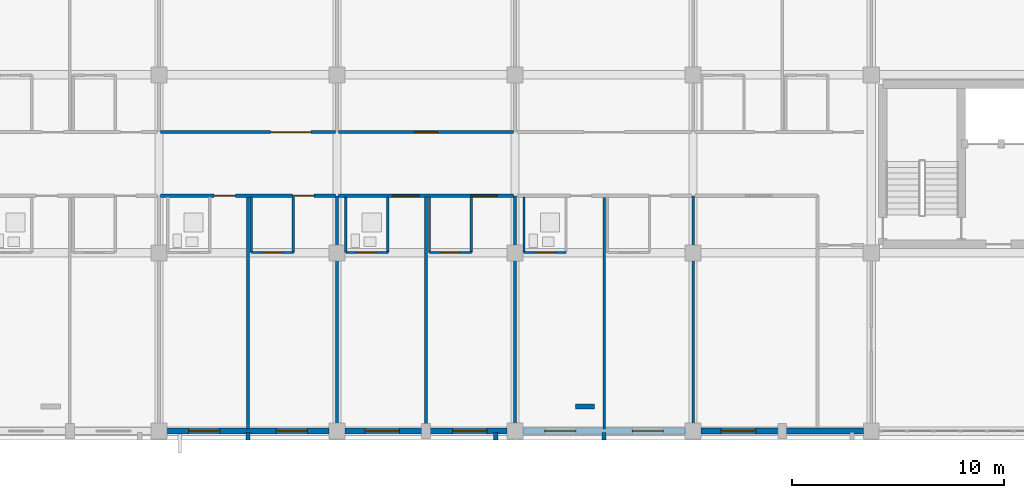
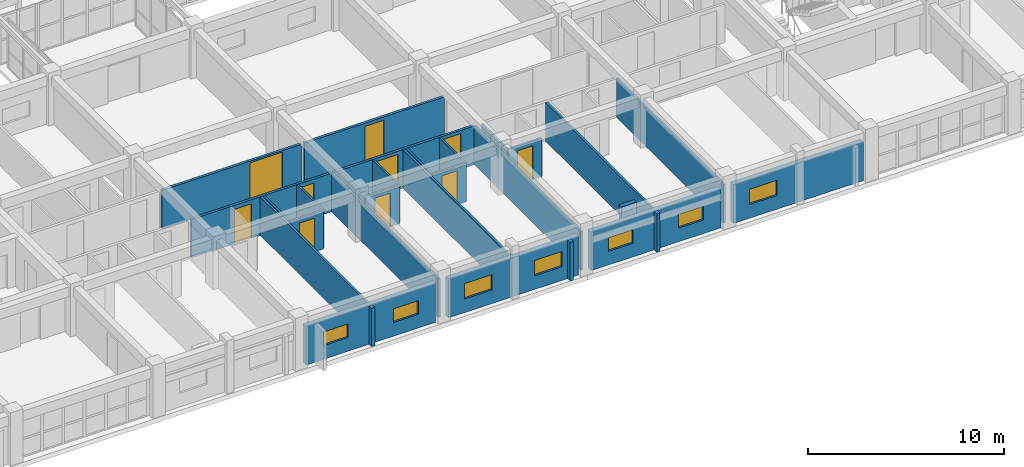
# One storey, part 167 of 200: 29 walls, 10 doors, 7 windows, 17 openings.
"""IFC4 building model written with IfcOpenShell, lengths in metres."""

from ifc_helpers import new_model, si_unit, direction, frame, frame_2d, origin, place, context, subcontext, project, spatial, rectangle, extrude, material, layer, layer_set, type_object, element, fill, save


model = new_model("IFC4")

# Units and contexts
model_context = context("Model", 3, precision=1e-05, world=origin(), true_north=direction((0.0, 1.0)))
body_context = subcontext(model_context, "Body", "Model", "MODEL_VIEW")
ifc_project = project(units=[si_unit("LENGTHUNIT", "METRE"), si_unit("AREAUNIT", "SQUARE_METRE"), si_unit("VOLUMEUNIT", "CUBIC_METRE"), si_unit("PLANEANGLEUNIT", "RADIAN"), si_unit("MASSUNIT", "GRAM", prefix="KILO")], contexts=[model_context])

# Site, building, storey
site_placement = place(None, origin())
site = spatial("IfcSite", under=ifc_project, at=site_placement, CompositionType="ELEMENT")
building_placement = place(site_placement, origin())
building = spatial("IfcBuilding", under=site, at=building_placement, Name="Trelvath General Hospital", CompositionType="ELEMENT")
storey_placement = place(building_placement, frame((0.0, 0.0, 4.800048828125)))
storey = spatial("IfcBuildingStorey", under=building, at=storey_placement, Name="L01", CompositionType="ELEMENT", Elevation=4.800048828125)

# Walls
ifc_material_1 = material(Name="Precast concrete C40/50", Category="concrete")
ifc_layer_1 = layer(ifc_material_1, 0.199951171875)
ifc_layer_set_1 = layer_set([ifc_layer_1], Name="Precast concrete C40/50")
wall_type_1 = type_object("IfcWallType", Name="BriseSoleilRib 200", PredefinedType="ELEMENTEDWALL", material=ifc_layer_set_1)
for number, where, z_axis, x_axis, name in (
    (1, (63.0, -0.074951171875, 0.0), (0.0, 0.0, 1.0), (0.0, -1.0, 0.0), "Precast Concrete Brise-Soleil Rib Fin L01-103"),
    (2, (74.69384765625, -0.074951171875, 0.0), (0.0, 0.0, 1.0), (0.0, -1.0, 0.0), "Precast Concrete Brise-Soleil Rib Fin L01-105"),
    (3, (79.800048828125, -0.074951171875, 0.0), (0.0, 0.0, 1.0), (0.0, -1.0, 0.0), "Precast Concrete Brise-Soleil Rib Fin L01-109"),
):
    element("IfcWall", number, at=place(storey_placement, frame(where, z_axis=z_axis, x_axis=x_axis)), inside=storey, type_object=wall_type_1, Name=name, PredefinedType="ELEMENTEDWALL", context=body_context, shape_type="SweptSolid", body=[
        extrude(rectangle(XDim=0.340087890625, YDim=0.199951171875, at=frame_2d((0.169921875, 0.0))), origin(), (0.0, 0.0, 1.0), 2.39990234375),
    ])

# Wall, openings, doors
ifc_material_2 = material(Name="Gypsum acoustic steel-stud partition", Category="steel")
ifc_layer_2 = layer(ifc_material_2, 0.14990234375)
ifc_layer_set_2 = layer_set([ifc_layer_2], Name="Gypsum acoustic steel-stud partition")
wall_type_2 = type_object("IfcWallType", Name="ClinicalPartition 150", PredefinedType="PARTITIONING", material=ifc_layer_set_2)
wall_1_placement = place(storey_placement, frame((58.8798828125, 11.10009765625, 0.0), z_axis=(0.0, 0.0, 1.0), x_axis=(1.0, 0.0, 0.0)))
wall_1 = element("IfcWall", 4, at=wall_1_placement, inside=storey, type_object=wall_type_2, Name="Corridor Partition L01-408", PredefinedType="PARTITIONING", context=body_context, shape_type="SweptSolid", body=[
    extrude(rectangle(XDim=8.240234375, YDim=0.14990234375, at=frame_2d((4.1201171875, 0.0))), origin(), (0.0, 0.0, 1.0), 2.39990234375),
])
opening_1_placement = place(wall_1_placement, frame((2.530029296875, 0.0, 0.0)))
opening_1 = element("IfcOpeningElement", 5, at=opening_1_placement, cuts=wall_1, Name="Opening D-1-0489", PredefinedType="OPENING", context=body_context, shape_type="SweptSolid", body=[
    extrude(rectangle(XDim=1.0, YDim=2.14990234375, at=frame_2d((0.5, 1.074951171875))), frame((0.0, 0.0849609375, 0.0), z_axis=(0.0, -1.0, 0.0), x_axis=(1.0, 0.0, 0.0)), (0.0, 0.0, 1.0), 0.169921875),
])
opening_2_placement = place(wall_1_placement, frame((6.22998046875, 0.0, 0.0)))
opening_2 = element("IfcOpeningElement", 6, at=opening_2_placement, cuts=wall_1, Name="Opening D-1-0490", PredefinedType="OPENING", context=body_context, shape_type="SweptSolid", body=[
    extrude(rectangle(XDim=1.0, YDim=2.14990234375, at=frame_2d((0.5, 1.074951171875))), frame((0.0, 0.0849609375, 0.0), z_axis=(0.0, -1.0, 0.0), x_axis=(1.0, 0.0, 0.0)), (0.0, 0.0, 1.0), 0.169921875),
])
ifc_material_3 = material(Name="Acoustic hospital timber leaf", Category="wood")
door_type_1 = type_object("IfcDoorType", Name="Door Consult 1000x2150", OperationType="NOTDEFINED", PredefinedType="DOOR", material=ifc_material_3)
door_1_placement = place(opening_1_placement, origin())
door_1 = element("IfcDoor", 7, at=door_1_placement, inside=storey, type_object=door_type_1, Name="Patient Room Door L01-489", OperationType="SINGLE_SWING_LEFT", OverallHeight=2.14990234375, OverallWidth=1.0, PredefinedType="DOOR", context=body_context, shape_type="SweptSolid", body=[
    extrude(rectangle(XDim=1.0, YDim=2.14990234375, at=frame_2d((0.5, 1.074951171875))), frame((0.0, 0.02490234375, 0.0), z_axis=(0.0, -1.0, 0.0), x_axis=(1.0, 0.0, 0.0)), (0.0, 0.0, 1.0), 0.050048828125),
])
fill(opening_1, door_1)
door_2_placement = place(opening_2_placement, origin())
door_2 = element("IfcDoor", 8, at=door_2_placement, inside=storey, type_object=door_type_1, Name="Patient Room Door L01-490", OperationType="SINGLE_SWING_RIGHT", OverallHeight=2.14990234375, OverallWidth=1.0, PredefinedType="DOOR", context=body_context, shape_type="SweptSolid", body=[
    extrude(rectangle(XDim=1.0, YDim=2.14990234375, at=frame_2d((0.5, 1.074951171875))), frame((0.0, 0.02490234375, 0.0), z_axis=(0.0, -1.0, 0.0), x_axis=(1.0, 0.0, 0.0)), (0.0, 0.0, 1.0), 0.050048828125),
])
fill(opening_2, door_2)

# Wall, opening, door
wall_2_placement = place(storey_placement, frame((67.1201171875, 14.10009765625, 0.0), z_axis=(0.0, 0.0, 1.0), x_axis=(-1.0, 0.0, 0.0)))
wall_2 = element("IfcWall", 9, at=wall_2_placement, inside=storey, type_object=wall_type_2, Name="Corridor Partition N L01-416", PredefinedType="PARTITIONING", context=body_context, shape_type="SweptSolid", body=[
    extrude(rectangle(XDim=8.240234375, YDim=0.14990234375, at=frame_2d((4.1201171875, 0.0))), origin(), (0.0, 0.0, 1.0), 2.39990234375),
])
opening_3_placement = place(wall_2_placement, frame((1.14990234375, 0.0, 0.0)))
opening_3 = element("IfcOpeningElement", 10, at=opening_3_placement, cuts=wall_2, Name="Opening D-1-0493", PredefinedType="OPENING", context=body_context, shape_type="SweptSolid", body=[
    extrude(rectangle(XDim=1.89990234375, YDim=2.300048828125, at=frame_2d((0.949951171875, 1.14990234375))), frame((0.0, 0.0849609375, 0.0), z_axis=(0.0, -1.0, 0.0), x_axis=(1.0, 0.0, 0.0)), (0.0, 0.0, 1.0), 0.169921875),
])
ifc_material_4 = material(Name="Thermally broken glazed aluminium pair", Category="aluminium")
door_type_2 = type_object("IfcDoorType", Name="Door BridgeEntry 1900x2400", OperationType="DOUBLE_SWING_LEFT", PredefinedType="DOOR", material=ifc_material_4)
door_3_placement = place(opening_3_placement, origin())
door_3 = element("IfcDoor", 11, at=door_3_placement, inside=storey, type_object=door_type_2, Name="Bridge Lounge Corridor Door N L01-493", OperationType="DOUBLE_SWING_LEFT", OverallHeight=2.300048828125, OverallWidth=1.89990234375, PredefinedType="DOOR", context=body_context, shape_type="SweptSolid", body=[
    extrude(rectangle(XDim=1.89990234375, YDim=2.300048828125, at=frame_2d((0.949951171875, 1.14990234375))), frame((0.0, 0.02490234375, 0.0), z_axis=(0.0, -1.0, 0.0), x_axis=(1.0, 0.0, 0.0)), (0.0, 0.0, 1.0), 0.050048828125),
])
fill(opening_3, door_3)

# Wall, openings, doors
wall_3_placement = place(storey_placement, frame((67.280029296875, 11.10009765625, 0.0), z_axis=(0.0, 0.0, 1.0), x_axis=(1.0, 0.0, 0.0)))
wall_3 = element("IfcWall", 12, at=wall_3_placement, inside=storey, type_object=wall_type_2, Name="Corridor Partition L01-419", PredefinedType="PARTITIONING", context=body_context, shape_type="SweptSolid", body=[
    extrude(rectangle(XDim=8.239990234375, YDim=0.14990234375, at=frame_2d((4.1201171875, 0.0))), origin(), (0.0, 0.0, 1.0), 2.39990234375),
])
opening_4_placement = place(wall_3_placement, frame((2.530029296875, 0.0, 0.0)))
opening_4 = element("IfcOpeningElement", 13, at=opening_4_placement, cuts=wall_3, Name="Opening D-1-0494", PredefinedType="OPENING", context=body_context, shape_type="SweptSolid", body=[
    extrude(rectangle(XDim=1.25, YDim=2.199951171875, at=frame_2d((0.625, 1.10009765625))), frame((0.0, 0.0849609375, 0.0), z_axis=(0.0, -1.0, 0.0), x_axis=(1.0, 0.0, 0.0)), (0.0, 0.0, 1.0), 0.169921875),
])
opening_5_placement = place(wall_3_placement, frame((6.22998046875, 0.0, 0.0)))
opening_5 = element("IfcOpeningElement", 14, at=opening_5_placement, cuts=wall_3, Name="Opening D-1-0495", PredefinedType="OPENING", context=body_context, shape_type="SweptSolid", body=[
    extrude(rectangle(XDim=1.25, YDim=2.199951171875, at=frame_2d((0.625, 1.10009765625))), frame((0.0, 0.0849609375, 0.0), z_axis=(0.0, -1.0, 0.0), x_axis=(1.0, 0.0, 0.0)), (0.0, 0.0, 1.0), 0.169921875),
])
ifc_material_5 = material(Name="Acoustic hospital timber leaf", Category="wood")
door_type_3 = type_object("IfcDoorType", Name="Door Treatment 1250x2200", OperationType="NOTDEFINED", PredefinedType="DOOR", material=ifc_material_5)
door_4_placement = place(opening_4_placement, origin())
door_4 = element("IfcDoor", 15, at=door_4_placement, inside=storey, type_object=door_type_3, Name="Patient Room Door L01-494", OperationType="SINGLE_SWING_LEFT", OverallHeight=2.199951171875, OverallWidth=1.25, PredefinedType="DOOR", context=body_context, shape_type="SweptSolid", body=[
    extrude(rectangle(XDim=1.25, YDim=2.199951171875, at=frame_2d((0.625, 1.10009765625))), frame((0.0, 0.02490234375, 0.0), z_axis=(0.0, -1.0, 0.0), x_axis=(1.0, 0.0, 0.0)), (0.0, 0.0, 1.0), 0.050048828125),
])
fill(opening_4, door_4)
door_5_placement = place(opening_5_placement, origin())
door_5 = element("IfcDoor", 16, at=door_5_placement, inside=storey, type_object=door_type_3, Name="Patient Room Door L01-495", OperationType="SINGLE_SWING_RIGHT", OverallHeight=2.199951171875, OverallWidth=1.25, PredefinedType="DOOR", context=body_context, shape_type="SweptSolid", body=[
    extrude(rectangle(XDim=1.25, YDim=2.199951171875, at=frame_2d((0.625, 1.10009765625))), frame((0.0, 0.02490234375, 0.0), z_axis=(0.0, -1.0, 0.0), x_axis=(1.0, 0.0, 0.0)), (0.0, 0.0, 1.0), 0.050048828125),
])
fill(opening_5, door_5)

# Wall, opening, door
wall_4_placement = place(storey_placement, frame((75.52001953125, 14.10009765625, 0.0), z_axis=(0.0, 0.0, 1.0), x_axis=(-1.0, 0.0, 0.0)))
wall_4 = element("IfcWall", 17, at=wall_4_placement, inside=storey, type_object=wall_type_2, Name="Corridor Partition N L01-427", PredefinedType="PARTITIONING", context=body_context, shape_type="SweptSolid", body=[
    extrude(rectangle(XDim=8.239990234375, YDim=0.14990234375, at=frame_2d((4.1201171875, 0.0))), origin(), (0.0, 0.0, 1.0), 2.39990234375),
])
opening_6_placement = place(wall_4_placement, frame((3.570068359375, 0.0, 0.0)))
opening_6 = element("IfcOpeningElement", 18, at=opening_6_placement, cuts=wall_4, Name="Opening D-1-0498", PredefinedType="OPENING", context=body_context, shape_type="SweptSolid", body=[
    extrude(rectangle(XDim=1.10009765625, YDim=2.199951171875, at=frame_2d((0.550048828125, 1.10009765625))), frame((0.0, 0.0849609375, 0.0), z_axis=(0.0, -1.0, 0.0), x_axis=(1.0, 0.0, 0.0)), (0.0, 0.0, 1.0), 0.169921875),
])
ifc_material_6 = material(Name="Phenolic laboratory door")
door_type_4 = type_object("IfcDoorType", Name="Door Lab 1100x2200", OperationType="NOTDEFINED", PredefinedType="DOOR", material=ifc_material_6)
door_6_placement = place(opening_6_placement, origin())
door_6 = element("IfcDoor", 19, at=door_6_placement, inside=storey, type_object=door_type_4, Name="Clinical Room Door L01-498", OperationType="SINGLE_SWING_LEFT", OverallHeight=2.199951171875, OverallWidth=1.10009765625, PredefinedType="DOOR", context=body_context, shape_type="SweptSolid", body=[
    extrude(rectangle(XDim=1.10009765625, YDim=2.199951171875, at=frame_2d((0.550048828125, 1.10009765625))), frame((0.0, 0.02490234375, 0.0), z_axis=(0.0, -1.0, 0.0), x_axis=(1.0, 0.0, 0.0)), (0.0, 0.0, 1.0), 0.050048828125),
])
fill(opening_6, door_6)

# Walls
ifc_material_7 = material(Name="Moisture-resistant tile partition")
ifc_layer_3 = layer(ifc_material_7, 0.110107421875)
ifc_layer_set_3 = layer_set([ifc_layer_3], Name="Moisture-resistant tile partition")
wall_type_3 = type_object("IfcWallType", Name="EnSuiteWetWall 110", PredefinedType="PARTITIONING", material=ifc_layer_set_3)
for number, where, z_axis, x_axis, name in (
    (20, (63.159912109375, 8.419921875, 0.0), (0.0, 0.0, 1.0), (0.0, 1.0, 0.0), "En-Suite W Wall L01-413"),
    (21, (65.139892578125, 8.419921875, 0.0), (0.0, 0.0, 1.0), (0.0, 1.0, 0.0), "En-Suite E Wall L01-414"),
):
    element("IfcWall", number, at=place(storey_placement, frame(where, z_axis=z_axis, x_axis=x_axis)), inside=storey, type_object=wall_type_3, Name=name, PredefinedType="PARTITIONING", context=body_context, shape_type="SweptSolid", body=[
        extrude(rectangle(XDim=2.610107421875, YDim=0.110107421875, at=frame_2d((1.30517578125, 0.0))), origin(), (0.0, 0.0, 1.0), 2.39990234375),
    ])

# Wall, opening, door
wall_5_placement = place(storey_placement, frame((63.159912109375, 8.419921875, 0.0), z_axis=(0.0, 0.0, 1.0), x_axis=(1.0, 0.0, 0.0)))
wall_5 = element("IfcWall", 22, at=wall_5_placement, inside=storey, type_object=wall_type_3, Name="En-Suite Bathroom Partition L01-415", PredefinedType="PARTITIONING", context=body_context, shape_type="SweptSolid", body=[
    extrude(rectangle(XDim=1.97998046875, YDim=0.110107421875, at=frame_2d((0.989990234375, 0.0))), origin(), (0.0, 0.0, 1.0), 2.39990234375),
])
opening_7_placement = place(wall_5_placement, frame((0.5400390625, 0.0, 0.0)))
opening_7 = element("IfcOpeningElement", 23, at=opening_7_placement, cuts=wall_5, Name="Opening D-1-0492", PredefinedType="OPENING", context=body_context, shape_type="SweptSolid", body=[
    extrude(rectangle(XDim=0.89990234375, YDim=2.10009765625, at=frame_2d((0.449951171875, 1.050048828125))), frame((0.0, 0.06494140625, 0.0), z_axis=(0.0, -1.0, 0.0), x_axis=(1.0, 0.0, 0.0)), (0.0, 0.0, 1.0), 0.130126953125),
])
ifc_material_8 = material(Name="Moisture-sealed timber leaf", Category="wood")
door_type_5 = type_object("IfcDoorType", Name="Door EnSuite 900x2100", OperationType="NOTDEFINED", PredefinedType="DOOR", material=ifc_material_8)
door_7_placement = place(opening_7_placement, origin())
door_7 = element("IfcDoor", 24, at=door_7_placement, inside=storey, type_object=door_type_5, Name="En-Suite Bathroom Door L01-492", OperationType="SINGLE_SWING_RIGHT", OverallHeight=2.10009765625, OverallWidth=0.89990234375, PredefinedType="DOOR", context=body_context, shape_type="SweptSolid", body=[
    extrude(rectangle(XDim=0.89990234375, YDim=2.10009765625, at=frame_2d((0.449951171875, 1.050048828125))), frame((0.0, 0.02490234375, 0.0), z_axis=(0.0, -1.0, 0.0), x_axis=(1.0, 0.0, 0.0)), (0.0, 0.0, 1.0), 0.050048828125),
])
fill(opening_7, door_7)

# Walls
for number, where, z_axis, x_axis, name in (
    (25, (67.6201171875, 8.419921875, 0.0), (0.0, 0.0, 1.0), (0.0, 1.0, 0.0), "En-Suite W Wall L01-421"),
    (26, (69.60009765625, 8.419921875, 0.0), (0.0, 0.0, 1.0), (0.0, 1.0, 0.0), "En-Suite E Wall L01-422"),
):
    element("IfcWall", number, at=place(storey_placement, frame(where, z_axis=z_axis, x_axis=x_axis)), inside=storey, type_object=wall_type_3, Name=name, PredefinedType="PARTITIONING", context=body_context, shape_type="SweptSolid", body=[
        extrude(rectangle(XDim=2.610107421875, YDim=0.110107421875, at=frame_2d((1.30517578125, 0.0))), origin(), (0.0, 0.0, 1.0), 2.39990234375),
    ])

# Wall, opening, door
wall_6_placement = place(storey_placement, frame((67.6201171875, 8.419921875, 0.0), z_axis=(0.0, 0.0, 1.0), x_axis=(1.0, 0.0, 0.0)))
wall_6 = element("IfcWall", 27, at=wall_6_placement, inside=storey, type_object=wall_type_3, Name="En-Suite Bathroom Partition L01-423", PredefinedType="PARTITIONING", context=body_context, shape_type="SweptSolid", body=[
    extrude(rectangle(XDim=1.97998046875, YDim=0.110107421875, at=frame_2d((0.989990234375, 0.0))), origin(), (0.0, 0.0, 1.0), 2.39990234375),
])
opening_8_placement = place(wall_6_placement, frame((0.5400390625, 0.0, 0.0)))
opening_8 = element("IfcOpeningElement", 28, at=opening_8_placement, cuts=wall_6, Name="Opening D-1-0496", PredefinedType="OPENING", context=body_context, shape_type="SweptSolid", body=[
    extrude(rectangle(XDim=0.89990234375, YDim=2.10009765625, at=frame_2d((0.449951171875, 1.050048828125))), frame((0.0, 0.06494140625, 0.0), z_axis=(0.0, -1.0, 0.0), x_axis=(1.0, 0.0, 0.0)), (0.0, 0.0, 1.0), 0.130126953125),
])
door_8_placement = place(opening_8_placement, origin())
door_8 = element("IfcDoor", 29, at=door_8_placement, inside=storey, type_object=door_type_5, Name="En-Suite Bathroom Door L01-496", OperationType="SINGLE_SWING_LEFT", OverallHeight=2.10009765625, OverallWidth=0.89990234375, PredefinedType="DOOR", context=body_context, shape_type="SweptSolid", body=[
    extrude(rectangle(XDim=0.89990234375, YDim=2.10009765625, at=frame_2d((0.449951171875, 1.050048828125))), frame((0.0, 0.02490234375, 0.0), z_axis=(0.0, -1.0, 0.0), x_axis=(1.0, 0.0, 0.0)), (0.0, 0.0, 1.0), 0.050048828125),
])
fill(opening_8, door_8)

# Walls
for number, where, z_axis, x_axis, name in (
    (30, (71.56005859375, 8.419921875, 0.0), (0.0, 0.0, 1.0), (0.0, 1.0, 0.0), "En-Suite W Wall L01-424"),
    (31, (73.5400390625, 8.419921875, 0.0), (0.0, 0.0, 1.0), (0.0, 1.0, 0.0), "En-Suite E Wall L01-425"),
):
    element("IfcWall", number, at=place(storey_placement, frame(where, z_axis=z_axis, x_axis=x_axis)), inside=storey, type_object=wall_type_3, Name=name, PredefinedType="PARTITIONING", context=body_context, shape_type="SweptSolid", body=[
        extrude(rectangle(XDim=2.610107421875, YDim=0.110107421875, at=frame_2d((1.30517578125, 0.0))), origin(), (0.0, 0.0, 1.0), 2.39990234375),
    ])

# Wall, opening, door
wall_7_placement = place(storey_placement, frame((71.56005859375, 8.419921875, 0.0), z_axis=(0.0, 0.0, 1.0), x_axis=(1.0, 0.0, 0.0)))
wall_7 = element("IfcWall", 32, at=wall_7_placement, inside=storey, type_object=wall_type_3, Name="En-Suite Bathroom Partition L01-426", PredefinedType="PARTITIONING", context=body_context, shape_type="SweptSolid", body=[
    extrude(rectangle(XDim=1.97998046875, YDim=0.110107421875, at=frame_2d((0.989990234375, 0.0))), origin(), (0.0, 0.0, 1.0), 2.39990234375),
])
opening_9_placement = place(wall_7_placement, frame((0.5400390625, 0.0, 0.0)))
opening_9 = element("IfcOpeningElement", 33, at=opening_9_placement, cuts=wall_7, Name="Opening D-1-0497", PredefinedType="OPENING", context=body_context, shape_type="SweptSolid", body=[
    extrude(rectangle(XDim=0.89990234375, YDim=2.10009765625, at=frame_2d((0.449951171875, 1.050048828125))), frame((0.0, 0.06494140625, 0.0), z_axis=(0.0, -1.0, 0.0), x_axis=(1.0, 0.0, 0.0)), (0.0, 0.0, 1.0), 0.130126953125),
])
door_9_placement = place(opening_9_placement, origin())
door_9 = element("IfcDoor", 34, at=door_9_placement, inside=storey, type_object=door_type_5, Name="En-Suite Bathroom Door L01-497", OperationType="SINGLE_SWING_RIGHT", OverallHeight=2.10009765625, OverallWidth=0.89990234375, PredefinedType="DOOR", context=body_context, shape_type="SweptSolid", body=[
    extrude(rectangle(XDim=0.89990234375, YDim=2.10009765625, at=frame_2d((0.449951171875, 1.050048828125))), frame((0.0, 0.02490234375, 0.0), z_axis=(0.0, -1.0, 0.0), x_axis=(1.0, 0.0, 0.0)), (0.0, 0.0, 1.0), 0.050048828125),
])
fill(opening_9, door_9)

# Wall
wall_8_placement = place(storey_placement, frame((76.02001953125, 8.419921875, 0.0), z_axis=(0.0, 0.0, 1.0), x_axis=(0.0, 1.0, 0.0)))
element("IfcWall", 35, at=wall_8_placement, inside=storey, type_object=wall_type_3, Name="En-Suite W Wall L01-432", PredefinedType="PARTITIONING", context=body_context, shape_type="SweptSolid", body=[
    extrude(rectangle(XDim=2.610107421875, YDim=0.110107421875, at=frame_2d((1.30517578125, 0.0))), origin(), (0.0, 0.0, 1.0), 2.39990234375),
])

# Wall, opening, door
wall_9_placement = place(storey_placement, frame((76.02001953125, 8.419921875, 0.0), z_axis=(0.0, 0.0, 1.0), x_axis=(1.0, 0.0, 0.0)))
wall_9 = element("IfcWall", 36, at=wall_9_placement, inside=storey, type_object=wall_type_3, Name="En-Suite Bathroom Partition L01-434", PredefinedType="PARTITIONING", context=body_context, shape_type="SweptSolid", body=[
    extrude(rectangle(XDim=1.97998046875, YDim=0.110107421875, at=frame_2d((0.989990234375, 0.0))), origin(), (0.0, 0.0, 1.0), 2.39990234375),
])
opening_10_placement = place(wall_9_placement, frame((0.5400390625, 0.0, 0.0)))
opening_10 = element("IfcOpeningElement", 37, at=opening_10_placement, cuts=wall_9, Name="Opening D-1-0501", PredefinedType="OPENING", context=body_context, shape_type="SweptSolid", body=[
    extrude(rectangle(XDim=0.89990234375, YDim=2.10009765625, at=frame_2d((0.449951171875, 1.050048828125))), frame((0.0, 0.06494140625, 0.0), z_axis=(0.0, -1.0, 0.0), x_axis=(1.0, 0.0, 0.0)), (0.0, 0.0, 1.0), 0.130126953125),
])
door_10_placement = place(opening_10_placement, origin())
door_10 = element("IfcDoor", 38, at=door_10_placement, inside=storey, type_object=door_type_5, Name="En-Suite Bathroom Door L01-501", OperationType="SINGLE_SWING_RIGHT", OverallHeight=2.10009765625, OverallWidth=0.89990234375, PredefinedType="DOOR", context=body_context, shape_type="SweptSolid", body=[
    extrude(rectangle(XDim=0.89990234375, YDim=2.10009765625, at=frame_2d((0.449951171875, 1.050048828125))), frame((0.0, 0.02490234375, 0.0), z_axis=(0.0, -1.0, 0.0), x_axis=(1.0, 0.0, 0.0)), (0.0, 0.0, 1.0), 0.050048828125),
])
fill(opening_10, door_10)

# Wall, openings, windows
ifc_material_9 = material(Name="Concrete C35/45", Category="concrete")
ifc_layer_4 = layer(ifc_material_9, 0.2900390625)
ifc_layer_set_4 = layer_set([ifc_layer_4], Name="Concrete C35/45")
wall_type_4 = type_object("IfcWallType", Name="ExtBushHammeredWall 290", PredefinedType="SOLIDWALL", material=ifc_layer_set_4)
wall_10_placement = place(storey_placement, frame((66.830078125, 0.0, 0.0), z_axis=(0.0, 0.0, 1.0), x_axis=(-1.0, 0.0, 0.0)))
wall_10 = element("IfcWall", 39, at=wall_10_placement, inside=storey, type_object=wall_type_4, Name="Exterior Concrete Wall L01-146", PredefinedType="SOLIDWALL", context=body_context, shape_type="SweptSolid", body=[
    extrude(rectangle(XDim=7.66015625, YDim=0.2900390625, at=frame_2d((3.830078125, 0.0))), origin(), (0.0, 0.0, 1.0), 2.419921875),
])
opening_11_placement = place(wall_10_placement, frame((1.03173828125, 0.0, 0.85009765625)))
opening_11 = element("IfcOpeningElement", 40, at=opening_11_placement, cuts=wall_10, Name="Opening WN-1-221", PredefinedType="OPENING", context=body_context, shape_type="SweptSolid", body=[
    extrude(rectangle(XDim=1.4599609375, YDim=0.85009765625, at=frame_2d((0.72998046875, 0.425048828125))), frame((0.0, 0.155029296875, 0.0), z_axis=(0.0, -1.0, 0.0), x_axis=(1.0, 0.0, 0.0)), (0.0, 0.0, 1.0), 0.31005859375),
])
opening_12_placement = place(wall_10_placement, frame((5.168212890625, 0.0, 0.85009765625)))
opening_12 = element("IfcOpeningElement", 41, at=opening_12_placement, cuts=wall_10, Name="Opening WN-1-222", PredefinedType="OPENING", context=body_context, shape_type="SweptSolid", body=[
    extrude(rectangle(XDim=1.4599609375, YDim=0.85009765625, at=frame_2d((0.72998046875, 0.425048828125))), frame((0.0, 0.155029296875, 0.0), z_axis=(0.0, -1.0, 0.0), x_axis=(1.0, 0.0, 0.0)), (0.0, 0.0, 1.0), 0.31005859375),
])
ifc_material_10 = material(Name="Low-E laminated glass", Category="glass")
window_type_1 = type_object("IfcWindowType", Name="Window ImagingClere 1460x850", PartitioningType="DOUBLE_PANEL_VERTICAL", PredefinedType="WINDOW", material=ifc_material_10)
window_1_placement = place(opening_11_placement, origin())
window_1 = element("IfcWindow", 42, at=window_1_placement, inside=storey, type_object=window_type_1, Name="Solar Reveal Window L01-221", OverallHeight=0.85009765625, OverallWidth=1.4599609375, PartitioningType="SINGLE_PANEL", PredefinedType="WINDOW", context=body_context, shape_type="SweptSolid", body=[
    extrude(rectangle(XDim=1.4599609375, YDim=0.85009765625, at=frame_2d((0.72998046875, 0.425048828125))), frame((0.0, 0.030029296875, 0.0), z_axis=(0.0, -1.0, 0.0), x_axis=(1.0, 0.0, 0.0)), (0.0, 0.0, 1.0), 0.06005859375),
])
fill(opening_11, window_1)
window_2_placement = place(opening_12_placement, origin())
window_2 = element("IfcWindow", 43, at=window_2_placement, inside=storey, type_object=window_type_1, Name="Solar Reveal Window L01-222", OverallHeight=0.85009765625, OverallWidth=1.4599609375, PartitioningType="SINGLE_PANEL", PredefinedType="WINDOW", context=body_context, shape_type="SweptSolid", body=[
    extrude(rectangle(XDim=1.4599609375, YDim=0.85009765625, at=frame_2d((0.72998046875, 0.425048828125))), frame((0.0, 0.030029296875, 0.0), z_axis=(0.0, -1.0, 0.0), x_axis=(1.0, 0.0, 0.0)), (0.0, 0.0, 1.0), 0.06005859375),
])
fill(opening_12, window_2)

wall_11_placement = place(storey_placement, frame((75.22998046875, 0.0, 0.0), z_axis=(0.0, 0.0, 1.0), x_axis=(-1.0, 0.0, 0.0)))
wall_11 = element("IfcWall", 44, at=wall_11_placement, inside=storey, type_object=wall_type_4, Name="Exterior Concrete Wall L01-150", PredefinedType="SOLIDWALL", context=body_context, shape_type="SweptSolid", body=[
    extrude(rectangle(XDim=7.659912109375, YDim=0.2900390625, at=frame_2d((3.830078125, 0.0))), origin(), (0.0, 0.0, 1.0), 2.419921875),
])
opening_13_placement = place(wall_11_placement, frame((0.951904296875, 0.0, 0.85009765625)))
opening_13 = element("IfcOpeningElement", 45, at=opening_13_placement, cuts=wall_11, Name="Opening WN-1-225", PredefinedType="OPENING", context=body_context, shape_type="SweptSolid", body=[
    extrude(rectangle(XDim=1.6201171875, YDim=0.949951171875, at=frame_2d((0.81005859375, 0.47509765625))), frame((0.0, 0.155029296875, 0.0), z_axis=(0.0, -1.0, 0.0), x_axis=(1.0, 0.0, 0.0)), (0.0, 0.0, 1.0), 0.31005859375),
])
opening_14_placement = place(wall_11_placement, frame((5.088134765625, 0.0, 0.85009765625)))
opening_14 = element("IfcOpeningElement", 46, at=opening_14_placement, cuts=wall_11, Name="Opening WN-1-226", PredefinedType="OPENING", context=body_context, shape_type="SweptSolid", body=[
    extrude(rectangle(XDim=1.6201171875, YDim=0.949951171875, at=frame_2d((0.81005859375, 0.47509765625))), frame((0.0, 0.155029296875, 0.0), z_axis=(0.0, -1.0, 0.0), x_axis=(1.0, 0.0, 0.0)), (0.0, 0.0, 1.0), 0.31005859375),
])
ifc_material_11 = material(Name="Low-E laminated glass", Category="glass")
window_type_2 = type_object("IfcWindowType", Name="Window EmergencyClere 1620x950", PartitioningType="DOUBLE_PANEL_VERTICAL", PredefinedType="WINDOW", material=ifc_material_11)
window_3_placement = place(opening_13_placement, origin())
window_3 = element("IfcWindow", 47, at=window_3_placement, inside=storey, type_object=window_type_2, Name="Solar Reveal Window L01-225", OverallHeight=0.949951171875, OverallWidth=1.6201171875, PartitioningType="SINGLE_PANEL", PredefinedType="WINDOW", context=body_context, shape_type="SweptSolid", body=[
    extrude(rectangle(XDim=1.6201171875, YDim=0.949951171875, at=frame_2d((0.81005859375, 0.47509765625))), frame((0.0, 0.030029296875, 0.0), z_axis=(0.0, -1.0, 0.0), x_axis=(1.0, 0.0, 0.0)), (0.0, 0.0, 1.0), 0.06005859375),
])
fill(opening_13, window_3)
window_4_placement = place(opening_14_placement, origin())
window_4 = element("IfcWindow", 48, at=window_4_placement, inside=storey, type_object=window_type_2, Name="Solar Reveal Window L01-226", OverallHeight=0.949951171875, OverallWidth=1.6201171875, PartitioningType="SINGLE_PANEL", PredefinedType="WINDOW", context=body_context, shape_type="SweptSolid", body=[
    extrude(rectangle(XDim=1.6201171875, YDim=0.949951171875, at=frame_2d((0.81005859375, 0.47509765625))), frame((0.0, 0.030029296875, 0.0), z_axis=(0.0, -1.0, 0.0), x_axis=(1.0, 0.0, 0.0)), (0.0, 0.0, 1.0), 0.06005859375),
])
fill(opening_14, window_4)

wall_12_placement = place(storey_placement, frame((83.6298828125, 0.0, 0.0), z_axis=(0.0, 0.0, 1.0), x_axis=(-1.0, 0.0, 0.0)))
wall_12 = element("IfcWall", 49, at=wall_12_placement, inside=storey, type_object=wall_type_4, Name="Exterior Concrete Wall L01-154", PredefinedType="SOLIDWALL", context=body_context, shape_type="SweptSolid", body=[
    extrude(rectangle(XDim=7.659912109375, YDim=0.2900390625, at=frame_2d((3.830078125, 0.0))), origin(), (0.0, 0.0, 1.0), 2.419921875),
])
opening_15_placement = place(wall_12_placement, frame((1.03173828125, 0.0, 0.85009765625)))
opening_15 = element("IfcOpeningElement", 50, at=opening_15_placement, cuts=wall_12, Name="Opening WN-1-233", PredefinedType="OPENING", context=body_context, shape_type="SweptSolid", body=[
    extrude(rectangle(XDim=1.4599609375, YDim=0.85009765625, at=frame_2d((0.72998046875, 0.425048828125))), frame((0.0, 0.155029296875, 0.0), z_axis=(0.0, -1.0, 0.0), x_axis=(1.0, 0.0, 0.0)), (0.0, 0.0, 1.0), 0.31005859375),
])
opening_16_placement = place(wall_12_placement, frame((5.168212890625, 0.0, 0.85009765625)))
opening_16 = element("IfcOpeningElement", 51, at=opening_16_placement, cuts=wall_12, Name="Opening WN-1-234", PredefinedType="OPENING", context=body_context, shape_type="SweptSolid", body=[
    extrude(rectangle(XDim=1.4599609375, YDim=0.85009765625, at=frame_2d((0.72998046875, 0.425048828125))), frame((0.0, 0.155029296875, 0.0), z_axis=(0.0, -1.0, 0.0), x_axis=(1.0, 0.0, 0.0)), (0.0, 0.0, 1.0), 0.31005859375),
])
window_5_placement = place(opening_15_placement, origin())
window_5 = element("IfcWindow", 52, at=window_5_placement, inside=storey, type_object=window_type_1, Name="Solar Reveal Window L01-233", OverallHeight=0.85009765625, OverallWidth=1.4599609375, PartitioningType="SINGLE_PANEL", PredefinedType="WINDOW", context=body_context, shape_type="SweptSolid", body=[
    extrude(rectangle(XDim=1.4599609375, YDim=0.85009765625, at=frame_2d((0.72998046875, 0.425048828125))), frame((0.0, 0.030029296875, 0.0), z_axis=(0.0, -1.0, 0.0), x_axis=(1.0, 0.0, 0.0)), (0.0, 0.0, 1.0), 0.06005859375),
])
fill(opening_15, window_5)
window_6_placement = place(opening_16_placement, origin())
window_6 = element("IfcWindow", 53, at=window_6_placement, inside=storey, type_object=window_type_1, Name="Solar Reveal Window L01-234", OverallHeight=0.85009765625, OverallWidth=1.4599609375, PartitioningType="SINGLE_PANEL", PredefinedType="WINDOW", context=body_context, shape_type="SweptSolid", body=[
    extrude(rectangle(XDim=1.4599609375, YDim=0.85009765625, at=frame_2d((0.72998046875, 0.425048828125))), frame((0.0, 0.030029296875, 0.0), z_axis=(0.0, -1.0, 0.0), x_axis=(1.0, 0.0, 0.0)), (0.0, 0.0, 1.0), 0.06005859375),
])
fill(opening_16, window_6)

# Wall, opening, window
wall_13_placement = place(storey_placement, frame((92.030029296875, 0.0, 0.0), z_axis=(0.0, 0.0, 1.0), x_axis=(-1.0, 0.0, 0.0)))
wall_13 = element("IfcWall", 54, at=wall_13_placement, inside=storey, type_object=wall_type_4, Name="Exterior Concrete Wall L01-163", PredefinedType="SOLIDWALL", context=body_context, shape_type="SweptSolid", body=[
    extrude(rectangle(XDim=7.659912109375, YDim=0.2900390625, at=frame_2d((3.830078125, 0.0))), origin(), (0.0, 0.0, 1.0), 2.419921875),
])
opening_17_placement = place(wall_13_placement, frame((5.088134765625, 0.0, 0.85009765625)))
opening_17 = element("IfcOpeningElement", 55, at=opening_17_placement, cuts=wall_13, Name="Opening WN-1-238", PredefinedType="OPENING", context=body_context, shape_type="SweptSolid", body=[
    extrude(rectangle(XDim=1.6201171875, YDim=0.949951171875, at=frame_2d((0.81005859375, 0.47509765625))), frame((0.0, 0.155029296875, 0.0), z_axis=(0.0, -1.0, 0.0), x_axis=(1.0, 0.0, 0.0)), (0.0, 0.0, 1.0), 0.31005859375),
])
window_7_placement = place(opening_17_placement, origin())
window_7 = element("IfcWindow", 56, at=window_7_placement, inside=storey, type_object=window_type_2, Name="Solar Reveal Window L01-238", OverallHeight=0.949951171875, OverallWidth=1.6201171875, PartitioningType="SINGLE_PANEL", PredefinedType="WINDOW", context=body_context, shape_type="SweptSolid", body=[
    extrude(rectangle(XDim=1.6201171875, YDim=0.949951171875, at=frame_2d((0.81005859375, 0.47509765625))), frame((0.0, 0.030029296875, 0.0), z_axis=(0.0, -1.0, 0.0), x_axis=(1.0, 0.0, 0.0)), (0.0, 0.0, 1.0), 0.06005859375),
])
fill(opening_17, window_7)

# Walls
ifc_material_12 = material(Name="Masonry service chase blockwork", Category="masonry")
ifc_layer_5 = layer(ifc_material_12, 0.239990234375)
ifc_layer_set_5 = layer_set([ifc_layer_5], Name="Masonry service chase blockwork")
wall_type_5 = type_object("IfcWallType", Name="PlumbingChaseWall 240", PredefinedType="PLUMBINGWALL", material=ifc_layer_set_5)
wall_14_placement = place(storey_placement, frame((78.449951171875, 1.14990234375, 0.0), z_axis=(0.0, 0.0, 1.0), x_axis=(1.0, 0.0, 0.0)))
element("IfcWall", 57, at=wall_14_placement, inside=storey, type_object=wall_type_5, Name="Medical Gas Plumbing Chase L01-438", PredefinedType="PLUMBINGWALL", context=body_context, shape_type="SweptSolid", body=[
    extrude(rectangle(XDim=0.900146484375, YDim=0.239990234375, at=frame_2d((0.4501953125, 0.0))), origin(), (0.0, 0.0, 1.0), 2.39990234375),
])
ifc_material_13 = material(Name="Gypsum acoustic steel-stud partition", Category="steel")
ifc_layer_6 = layer(ifc_material_13, 0.1298828125)
ifc_layer_set_6 = layer_set([ifc_layer_6], Name="Gypsum acoustic steel-stud partition")
wall_type_6 = type_object("IfcWallType", Name="WardPartition 130", PredefinedType="PARTITIONING", material=ifc_layer_set_6)
wall_15_placement = place(storey_placement, frame((63.0, 0.10009765625, 0.0), z_axis=(0.0, 0.0, 1.0), x_axis=(0.0, 1.0, 0.0)))
element("IfcWall", 58, at=wall_15_placement, inside=storey, type_object=wall_type_6, Name="Room Dividing Partition S L01-409", PredefinedType="PARTITIONING", context=body_context, shape_type="SweptSolid", body=[
    extrude(rectangle(XDim=10.929931640625, YDim=0.1298828125, at=frame_2d((5.46484375, 0.0))), origin(), (0.0, 0.0, 1.0), 2.39990234375),
])
wall_16_placement = place(storey_placement, frame((67.199951171875, 0.139892578125, 0.0), z_axis=(0.0, 0.0, 1.0), x_axis=(0.0, 1.0, 0.0)))
element("IfcWall", 59, at=wall_16_placement, inside=storey, type_object=wall_type_6, Name="Inter-Bay Ward Partition S L01-417", PredefinedType="PARTITIONING", context=body_context, shape_type="SweptSolid", body=[
    extrude(rectangle(XDim=10.940185546875, YDim=0.1298828125, at=frame_2d((5.47021484375, 0.0))), origin(), (0.0, 0.0, 1.0), 2.39990234375),
])
wall_17_placement = place(storey_placement, frame((71.39990234375, 0.10009765625, 0.0), z_axis=(0.0, 0.0, 1.0), x_axis=(0.0, 1.0, 0.0)))
element("IfcWall", 60, at=wall_17_placement, inside=storey, type_object=wall_type_6, Name="Room Dividing Partition S L01-420", PredefinedType="PARTITIONING", context=body_context, shape_type="SweptSolid", body=[
    extrude(rectangle(XDim=10.929931640625, YDim=0.1298828125, at=frame_2d((5.46484375, 0.0))), origin(), (0.0, 0.0, 1.0), 2.39990234375),
])
wall_18_placement = place(storey_placement, frame((75.60009765625, 0.139892578125, 0.0), z_axis=(0.0, 0.0, 1.0), x_axis=(0.0, 1.0, 0.0)))
element("IfcWall", 61, at=wall_18_placement, inside=storey, type_object=wall_type_6, Name="Inter-Bay Ward Partition S L01-428", PredefinedType="PARTITIONING", context=body_context, shape_type="SweptSolid", body=[
    extrude(rectangle(XDim=10.940185546875, YDim=0.1298828125, at=frame_2d((5.47021484375, 0.0))), origin(), (0.0, 0.0, 1.0), 2.39990234375),
])
wall_19_placement = place(storey_placement, frame((79.800048828125, 0.10009765625, 0.0), z_axis=(0.0, 0.0, 1.0), x_axis=(0.0, 1.0, 0.0)))
element("IfcWall", 62, at=wall_19_placement, inside=storey, type_object=wall_type_6, Name="Room Dividing Partition S L01-431", PredefinedType="PARTITIONING", context=body_context, shape_type="SweptSolid", body=[
    extrude(rectangle(XDim=10.929931640625, YDim=0.1298828125, at=frame_2d((5.46484375, 0.0))), origin(), (0.0, 0.0, 1.0), 2.39990234375),
])
wall_20_placement = place(storey_placement, frame((84.0, 0.139892578125, 0.0), z_axis=(0.0, 0.0, 1.0), x_axis=(0.0, 1.0, 0.0)))
element("IfcWall", 63, at=wall_20_placement, inside=storey, type_object=wall_type_6, Name="Inter-Bay Ward Partition S L01-440", PredefinedType="PARTITIONING", context=body_context, shape_type="SweptSolid", body=[
    extrude(rectangle(XDim=10.940185546875, YDim=0.1298828125, at=frame_2d((5.47021484375, 0.0))), origin(), (0.0, 0.0, 1.0), 2.39990234375),
])

save(model, "model.ifc")
